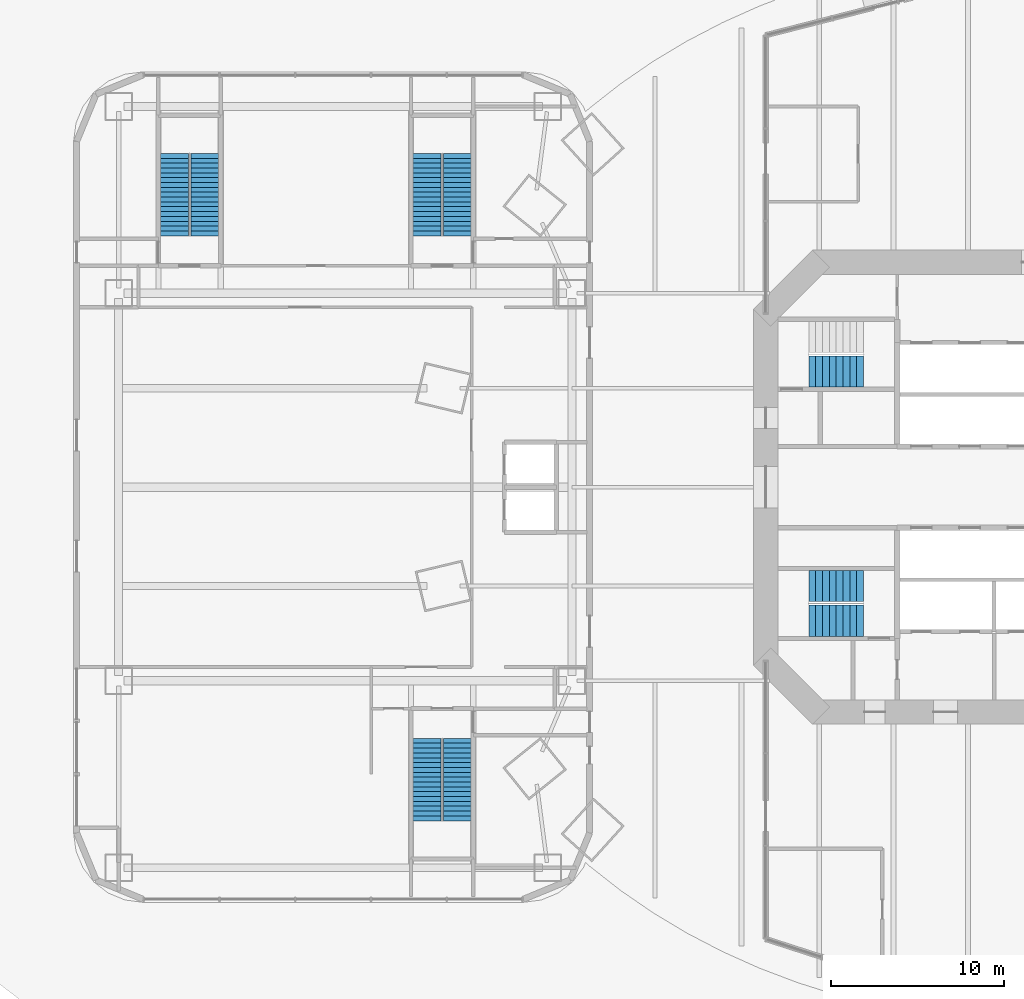
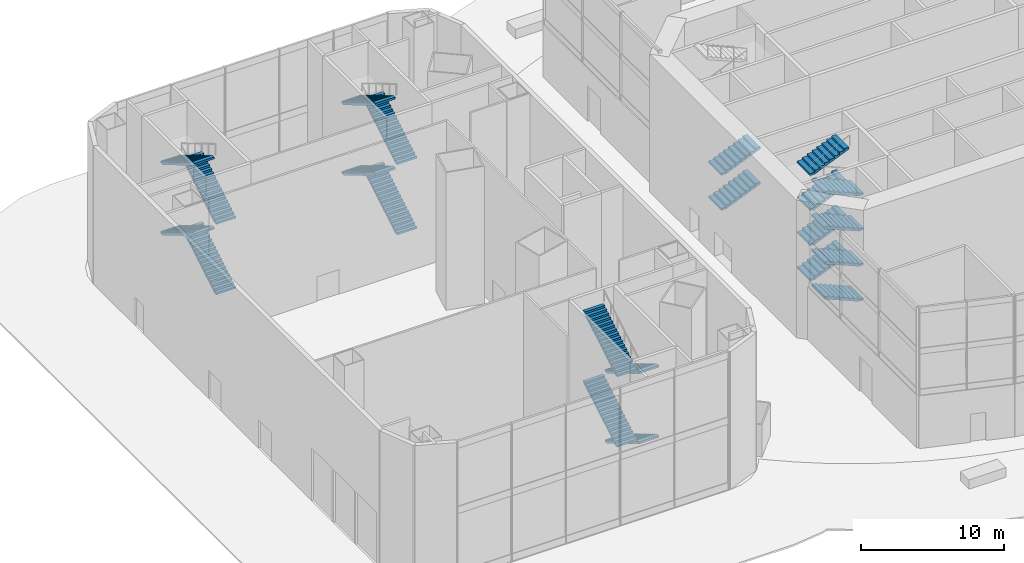
# One storey, part 18 of 23: 22 stair flights, 5 elements without a shape of their own.
"""IFC4 building model written with IfcOpenShell, lengths in metres."""

from ifc_helpers import new_model, si_unit, direction, frame, origin, place, context, subcontext, project, spatial, polyline, outline, extrude, material, type_object, element, aggregate, save


model = new_model("IFC4")

# Units and contexts
model_context = context("Model", 3, precision=1e-05, world=origin(), true_north=direction((0.0, 1.0)))
body_context = subcontext(model_context, "Body", "Model", "MODEL_VIEW")
ifc_project = project(units=[si_unit("LENGTHUNIT", "METRE"), si_unit("AREAUNIT", "SQUARE_METRE"), si_unit("VOLUMEUNIT", "CUBIC_METRE"), si_unit("PLANEANGLEUNIT", "RADIAN"), si_unit("MASSUNIT", "GRAM", prefix="KILO")], contexts=[model_context])

# Site, building, storey
site_placement = place(None, origin())
site = spatial("IfcSite", under=ifc_project, at=site_placement, CompositionType="ELEMENT")
building_placement = place(site_placement, origin())
building = spatial("IfcBuilding", under=site, at=building_placement, Name="Marenthal Gate Tower", CompositionType="ELEMENT")
storey_placement = place(building_placement, origin())
storey = spatial("IfcBuildingStorey", under=building, at=storey_placement, Name="L00", CompositionType="ELEMENT", Elevation=0.0)

# Stair, stair flights
ifc_material_1 = material(Name="Concrete 40 MPa", Category="concrete")
stair_type_1 = type_object("IfcStairType", Name="Exit stair 1600", PredefinedType="HALF_TURN_STAIR", material=ifc_material_1)
stair_1_placement = place(storey_placement, origin())
stair_1 = element("IfcStair", 1, at=stair_1_placement, inside=storey, type_object=stair_type_1, Name="Stair W1", PredefinedType="HALF_TURN_STAIR")
ifc_material_2 = material(Name="Concrete 40 MPa", Category="concrete")
stair_flight_type_1 = type_object("IfcStairFlightType", Name="Stair flight 1600", PredefinedType="STRAIGHT", material=ifc_material_2)
stair_flight_1_placement = place(storey_placement, frame((-33.824951171875, 14.52490234375, 0.0), z_axis=(0.0, 0.0, 1.0), x_axis=(0.0, 1.0, 0.0)))
stair_flight_1 = element("IfcStairFlight", 2, at=stair_flight_1_placement, type_object=stair_flight_type_1, Name="W1 flight 1", NumberOfRisers=18, NumberOfTreads=17, PredefinedType="STRAIGHT", RiserHeight=0.166666667, TreadLength=0.28, context=body_context, shape_type="SweptSolid", body=[
    extrude(outline(polyline([(0.0, 0.0), (0.0, 0.166748046875), (0.280029296875, 0.166748046875), (0.280029296875, 0.333251953125), (0.56005859375, 0.333251953125), (0.56005859375, 0.5), (0.840087890625, 0.5), (0.840087890625, 0.666748046875), (1.1201171875, 0.666748046875), (1.1201171875, 0.833251953125), (1.39990234375, 0.833251953125), (1.39990234375, 1.0), (1.679931640625, 1.0), (1.679931640625, 1.166748046875), (1.9599609375, 1.166748046875), (1.9599609375, 1.333251953125), (2.239990234375, 1.333251953125), (2.239990234375, 1.5), (2.52001953125, 1.5), (2.52001953125, 1.666748046875), (2.800048828125, 1.666748046875), (2.800048828125, 1.833251953125), (3.080078125, 1.833251953125), (3.080078125, 2.0), (3.360107421875, 2.0), (3.360107421875, 2.166748046875), (3.639892578125, 2.166748046875), (3.639892578125, 2.333251953125), (3.919921875, 2.333251953125), (3.919921875, 2.5), (4.199951171875, 2.5), (4.199951171875, 2.666748046875), (4.47998046875, 2.666748046875), (4.47998046875, 2.833251953125), (4.760009765625, 2.833251953125), (4.760009765625, 3.0), (4.760009765625, 2.658935546875), (0.29296875, 0.0), (0.0, 0.0)])), frame((0.0, 0.800048828125, 0.0), z_axis=(0.0, -1.0, 0.0), x_axis=(1.0, 0.0, 0.0)), (0.0, 0.0, 1.0), 1.60009765625),
])
stair_flight_2_placement = place(storey_placement, frame((-35.574951171875, 19.284912109375, 3.0), z_axis=(0.0, 0.0, 1.0), x_axis=(0.0, -1.0, 0.0)))
stair_flight_2 = element("IfcStairFlight", 3, at=stair_flight_2_placement, type_object=stair_flight_type_1, Name="W1 flight 2", NumberOfRisers=18, NumberOfTreads=17, PredefinedType="STRAIGHT", RiserHeight=0.166666667, TreadLength=0.28, context=body_context, shape_type="SweptSolid", body=[
    extrude(outline(polyline([(0.0, 0.0), (0.0, 0.166748046875), (0.280029296875, 0.166748046875), (0.280029296875, 0.333251953125), (0.56005859375, 0.333251953125), (0.56005859375, 0.5), (0.840087890625, 0.5), (0.840087890625, 0.666748046875), (1.1201171875, 0.666748046875), (1.1201171875, 0.833251953125), (1.39990234375, 0.833251953125), (1.39990234375, 1.0), (1.679931640625, 1.0), (1.679931640625, 1.166748046875), (1.9599609375, 1.166748046875), (1.9599609375, 1.333251953125), (2.239990234375, 1.333251953125), (2.239990234375, 1.5), (2.52001953125, 1.5), (2.52001953125, 1.666748046875), (2.800048828125, 1.666748046875), (2.800048828125, 1.833251953125), (3.080078125, 1.833251953125), (3.080078125, 2.0), (3.360107421875, 2.0), (3.360107421875, 2.166748046875), (3.639892578125, 2.166748046875), (3.639892578125, 2.333251953125), (3.919921875, 2.333251953125), (3.919921875, 2.5), (4.199951171875, 2.5), (4.199951171875, 2.666748046875), (4.47998046875, 2.666748046875), (4.47998046875, 2.833251953125), (4.760009765625, 2.833251953125), (4.760009765625, 3.0), (4.760009765625, 2.658935546875), (0.29296875, 0.0), (0.0, 0.0)])), frame((0.0, 0.800048828125, 0.0), z_axis=(0.0, -1.0, 0.0), x_axis=(1.0, 0.0, 0.0)), (0.0, 0.0, 1.0), 1.60009765625),
])
stair_flight_3_placement = place(storey_placement, frame((-33.824951171875, 14.52490234375, 6.0), z_axis=(0.0, 0.0, 1.0), x_axis=(0.0, 1.0, 0.0)))
stair_flight_3 = element("IfcStairFlight", 4, at=stair_flight_3_placement, type_object=stair_flight_type_1, Name="W1 flight 3", NumberOfRisers=18, NumberOfTreads=17, PredefinedType="STRAIGHT", RiserHeight=0.166666667, TreadLength=0.28, context=body_context, shape_type="SweptSolid", body=[
    extrude(outline(polyline([(0.0, 0.0), (0.0, 0.166748046875), (0.280029296875, 0.166748046875), (0.280029296875, 0.333251953125), (0.56005859375, 0.333251953125), (0.56005859375, 0.5), (0.840087890625, 0.5), (0.840087890625, 0.666748046875), (1.1201171875, 0.666748046875), (1.1201171875, 0.833251953125), (1.39990234375, 0.833251953125), (1.39990234375, 1.0), (1.679931640625, 1.0), (1.679931640625, 1.166748046875), (1.9599609375, 1.166748046875), (1.9599609375, 1.333251953125), (2.239990234375, 1.333251953125), (2.239990234375, 1.5), (2.52001953125, 1.5), (2.52001953125, 1.666748046875), (2.800048828125, 1.666748046875), (2.800048828125, 1.833251953125), (3.080078125, 1.833251953125), (3.080078125, 2.0), (3.360107421875, 2.0), (3.360107421875, 2.166748046875), (3.639892578125, 2.166748046875), (3.639892578125, 2.333251953125), (3.919921875, 2.333251953125), (3.919921875, 2.5), (4.199951171875, 2.5), (4.199951171875, 2.666748046875), (4.47998046875, 2.666748046875), (4.47998046875, 2.833251953125), (4.760009765625, 2.833251953125), (4.760009765625, 3.0), (4.760009765625, 2.658935546875), (0.29296875, 0.0), (0.0, 0.0)])), frame((0.0, 0.800048828125, 0.0), z_axis=(0.0, -1.0, 0.0), x_axis=(1.0, 0.0, 0.0)), (0.0, 0.0, 1.0), 1.60009765625),
])
stair_flight_4_placement = place(storey_placement, frame((-35.574951171875, 19.284912109375, 9.0), z_axis=(0.0, 0.0, 1.0), x_axis=(0.0, -1.0, 0.0)))
stair_flight_4 = element("IfcStairFlight", 5, at=stair_flight_4_placement, type_object=stair_flight_type_1, Name="W1 flight 4", NumberOfRisers=18, NumberOfTreads=17, PredefinedType="STRAIGHT", RiserHeight=0.166666667, TreadLength=0.28, context=body_context, shape_type="SweptSolid", body=[
    extrude(outline(polyline([(0.0, 0.0), (0.0, 0.166748046875), (0.280029296875, 0.166748046875), (0.280029296875, 0.333251953125), (0.56005859375, 0.333251953125), (0.56005859375, 0.5), (0.840087890625, 0.5), (0.840087890625, 0.666748046875), (1.1201171875, 0.666748046875), (1.1201171875, 0.833251953125), (1.39990234375, 0.833251953125), (1.39990234375, 1.0), (1.679931640625, 1.0), (1.679931640625, 1.166748046875), (1.9599609375, 1.166748046875), (1.9599609375, 1.333251953125), (2.239990234375, 1.333251953125), (2.239990234375, 1.5), (2.52001953125, 1.5), (2.52001953125, 1.666748046875), (2.800048828125, 1.666748046875), (2.800048828125, 1.833251953125), (3.080078125, 1.833251953125), (3.080078125, 2.0), (3.360107421875, 2.0), (3.360107421875, 2.166748046875), (3.639892578125, 2.166748046875), (3.639892578125, 2.333251953125), (3.919921875, 2.333251953125), (3.919921875, 2.5), (4.199951171875, 2.5), (4.199951171875, 2.666748046875), (4.47998046875, 2.666748046875), (4.47998046875, 2.833251953125), (4.760009765625, 2.833251953125), (4.760009765625, 3.0), (4.760009765625, 2.658935546875), (0.29296875, 0.0), (0.0, 0.0)])), frame((0.0, 0.800048828125, 0.0), z_axis=(0.0, -1.0, 0.0), x_axis=(1.0, 0.0, 0.0)), (0.0, 0.0, 1.0), 1.60009765625),
])
aggregate(stair_1, [stair_flight_1, stair_flight_2, stair_flight_3, stair_flight_4])

stair_2_placement = place(storey_placement, origin())
stair_2 = element("IfcStair", 6, at=stair_2_placement, inside=storey, type_object=stair_type_1, Name="Stair W2", PredefinedType="HALF_TURN_STAIR")
stair_flight_5_placement = place(storey_placement, frame((-33.824951171875, -14.52490234375, 0.0), z_axis=(0.0, 0.0, 1.0), x_axis=(0.0, -1.0, 0.0)))
stair_flight_5 = element("IfcStairFlight", 7, at=stair_flight_5_placement, type_object=stair_flight_type_1, Name="W2 flight 1", NumberOfRisers=18, NumberOfTreads=17, PredefinedType="STRAIGHT", RiserHeight=0.166666667, TreadLength=0.28, context=body_context, shape_type="SweptSolid", body=[
    extrude(outline(polyline([(0.0, 0.0), (0.0, 0.166748046875), (0.280029296875, 0.166748046875), (0.280029296875, 0.333251953125), (0.56005859375, 0.333251953125), (0.56005859375, 0.5), (0.840087890625, 0.5), (0.840087890625, 0.666748046875), (1.1201171875, 0.666748046875), (1.1201171875, 0.833251953125), (1.39990234375, 0.833251953125), (1.39990234375, 1.0), (1.679931640625, 1.0), (1.679931640625, 1.166748046875), (1.9599609375, 1.166748046875), (1.9599609375, 1.333251953125), (2.239990234375, 1.333251953125), (2.239990234375, 1.5), (2.52001953125, 1.5), (2.52001953125, 1.666748046875), (2.800048828125, 1.666748046875), (2.800048828125, 1.833251953125), (3.080078125, 1.833251953125), (3.080078125, 2.0), (3.360107421875, 2.0), (3.360107421875, 2.166748046875), (3.639892578125, 2.166748046875), (3.639892578125, 2.333251953125), (3.919921875, 2.333251953125), (3.919921875, 2.5), (4.199951171875, 2.5), (4.199951171875, 2.666748046875), (4.47998046875, 2.666748046875), (4.47998046875, 2.833251953125), (4.760009765625, 2.833251953125), (4.760009765625, 3.0), (4.760009765625, 2.658935546875), (0.29296875, 0.0), (0.0, 0.0)])), frame((0.0, 0.800048828125, 0.0), z_axis=(0.0, -1.0, 0.0), x_axis=(1.0, 0.0, 0.0)), (0.0, 0.0, 1.0), 1.60009765625),
])
stair_flight_6_placement = place(storey_placement, frame((-35.574951171875, -19.284912109375, 3.0), z_axis=(0.0, 0.0, 1.0), x_axis=(0.0, 1.0, 0.0)))
stair_flight_6 = element("IfcStairFlight", 8, at=stair_flight_6_placement, type_object=stair_flight_type_1, Name="W2 flight 2", NumberOfRisers=18, NumberOfTreads=17, PredefinedType="STRAIGHT", RiserHeight=0.166666667, TreadLength=0.28, context=body_context, shape_type="SweptSolid", body=[
    extrude(outline(polyline([(0.0, 0.0), (0.0, 0.166748046875), (0.280029296875, 0.166748046875), (0.280029296875, 0.333251953125), (0.56005859375, 0.333251953125), (0.56005859375, 0.5), (0.840087890625, 0.5), (0.840087890625, 0.666748046875), (1.1201171875, 0.666748046875), (1.1201171875, 0.833251953125), (1.39990234375, 0.833251953125), (1.39990234375, 1.0), (1.679931640625, 1.0), (1.679931640625, 1.166748046875), (1.9599609375, 1.166748046875), (1.9599609375, 1.333251953125), (2.239990234375, 1.333251953125), (2.239990234375, 1.5), (2.52001953125, 1.5), (2.52001953125, 1.666748046875), (2.800048828125, 1.666748046875), (2.800048828125, 1.833251953125), (3.080078125, 1.833251953125), (3.080078125, 2.0), (3.360107421875, 2.0), (3.360107421875, 2.166748046875), (3.639892578125, 2.166748046875), (3.639892578125, 2.333251953125), (3.919921875, 2.333251953125), (3.919921875, 2.5), (4.199951171875, 2.5), (4.199951171875, 2.666748046875), (4.47998046875, 2.666748046875), (4.47998046875, 2.833251953125), (4.760009765625, 2.833251953125), (4.760009765625, 3.0), (4.760009765625, 2.658935546875), (0.29296875, 0.0), (0.0, 0.0)])), frame((0.0, 0.800048828125, 0.0), z_axis=(0.0, -1.0, 0.0), x_axis=(1.0, 0.0, 0.0)), (0.0, 0.0, 1.0), 1.60009765625),
])
stair_flight_7_placement = place(storey_placement, frame((-33.824951171875, -14.52490234375, 6.0), z_axis=(0.0, 0.0, 1.0), x_axis=(0.0, -1.0, 0.0)))
stair_flight_7 = element("IfcStairFlight", 9, at=stair_flight_7_placement, type_object=stair_flight_type_1, Name="W2 flight 3", NumberOfRisers=18, NumberOfTreads=17, PredefinedType="STRAIGHT", RiserHeight=0.166666667, TreadLength=0.28, context=body_context, shape_type="SweptSolid", body=[
    extrude(outline(polyline([(0.0, 0.0), (0.0, 0.166748046875), (0.280029296875, 0.166748046875), (0.280029296875, 0.333251953125), (0.56005859375, 0.333251953125), (0.56005859375, 0.5), (0.840087890625, 0.5), (0.840087890625, 0.666748046875), (1.1201171875, 0.666748046875), (1.1201171875, 0.833251953125), (1.39990234375, 0.833251953125), (1.39990234375, 1.0), (1.679931640625, 1.0), (1.679931640625, 1.166748046875), (1.9599609375, 1.166748046875), (1.9599609375, 1.333251953125), (2.239990234375, 1.333251953125), (2.239990234375, 1.5), (2.52001953125, 1.5), (2.52001953125, 1.666748046875), (2.800048828125, 1.666748046875), (2.800048828125, 1.833251953125), (3.080078125, 1.833251953125), (3.080078125, 2.0), (3.360107421875, 2.0), (3.360107421875, 2.166748046875), (3.639892578125, 2.166748046875), (3.639892578125, 2.333251953125), (3.919921875, 2.333251953125), (3.919921875, 2.5), (4.199951171875, 2.5), (4.199951171875, 2.666748046875), (4.47998046875, 2.666748046875), (4.47998046875, 2.833251953125), (4.760009765625, 2.833251953125), (4.760009765625, 3.0), (4.760009765625, 2.658935546875), (0.29296875, 0.0), (0.0, 0.0)])), frame((0.0, 0.800048828125, 0.0), z_axis=(0.0, -1.0, 0.0), x_axis=(1.0, 0.0, 0.0)), (0.0, 0.0, 1.0), 1.60009765625),
])
stair_flight_8_placement = place(storey_placement, frame((-35.574951171875, -19.284912109375, 9.0), z_axis=(0.0, 0.0, 1.0), x_axis=(0.0, 1.0, 0.0)))
stair_flight_8 = element("IfcStairFlight", 10, at=stair_flight_8_placement, type_object=stair_flight_type_1, Name="W2 flight 4", NumberOfRisers=18, NumberOfTreads=17, PredefinedType="STRAIGHT", RiserHeight=0.166666667, TreadLength=0.28, context=body_context, shape_type="SweptSolid", body=[
    extrude(outline(polyline([(0.0, 0.0), (0.0, 0.166748046875), (0.280029296875, 0.166748046875), (0.280029296875, 0.333251953125), (0.56005859375, 0.333251953125), (0.56005859375, 0.5), (0.840087890625, 0.5), (0.840087890625, 0.666748046875), (1.1201171875, 0.666748046875), (1.1201171875, 0.833251953125), (1.39990234375, 0.833251953125), (1.39990234375, 1.0), (1.679931640625, 1.0), (1.679931640625, 1.166748046875), (1.9599609375, 1.166748046875), (1.9599609375, 1.333251953125), (2.239990234375, 1.333251953125), (2.239990234375, 1.5), (2.52001953125, 1.5), (2.52001953125, 1.666748046875), (2.800048828125, 1.666748046875), (2.800048828125, 1.833251953125), (3.080078125, 1.833251953125), (3.080078125, 2.0), (3.360107421875, 2.0), (3.360107421875, 2.166748046875), (3.639892578125, 2.166748046875), (3.639892578125, 2.333251953125), (3.919921875, 2.333251953125), (3.919921875, 2.5), (4.199951171875, 2.5), (4.199951171875, 2.666748046875), (4.47998046875, 2.666748046875), (4.47998046875, 2.833251953125), (4.760009765625, 2.833251953125), (4.760009765625, 3.0), (4.760009765625, 2.658935546875), (0.29296875, 0.0), (0.0, 0.0)])), frame((0.0, 0.800048828125, 0.0), z_axis=(0.0, -1.0, 0.0), x_axis=(1.0, 0.0, 0.0)), (0.0, 0.0, 1.0), 1.60009765625),
])
aggregate(stair_2, [stair_flight_5, stair_flight_6, stair_flight_7, stair_flight_8])

stair_3_placement = place(storey_placement, origin())
stair_3 = element("IfcStair", 11, at=stair_3_placement, inside=storey, type_object=stair_type_1, Name="Stair W3", PredefinedType="HALF_TURN_STAIR")
stair_flight_9_placement = place(storey_placement, frame((-48.425048828125, 14.52490234375, 0.0), z_axis=(0.0, 0.0, 1.0), x_axis=(0.0, 1.0, 0.0)))
stair_flight_9 = element("IfcStairFlight", 12, at=stair_flight_9_placement, type_object=stair_flight_type_1, Name="W3 flight 1", NumberOfRisers=18, NumberOfTreads=17, PredefinedType="STRAIGHT", RiserHeight=0.166666667, TreadLength=0.28, context=body_context, shape_type="SweptSolid", body=[
    extrude(outline(polyline([(0.0, 0.0), (0.0, 0.166748046875), (0.280029296875, 0.166748046875), (0.280029296875, 0.333251953125), (0.56005859375, 0.333251953125), (0.56005859375, 0.5), (0.840087890625, 0.5), (0.840087890625, 0.666748046875), (1.1201171875, 0.666748046875), (1.1201171875, 0.833251953125), (1.39990234375, 0.833251953125), (1.39990234375, 1.0), (1.679931640625, 1.0), (1.679931640625, 1.166748046875), (1.9599609375, 1.166748046875), (1.9599609375, 1.333251953125), (2.239990234375, 1.333251953125), (2.239990234375, 1.5), (2.52001953125, 1.5), (2.52001953125, 1.666748046875), (2.800048828125, 1.666748046875), (2.800048828125, 1.833251953125), (3.080078125, 1.833251953125), (3.080078125, 2.0), (3.360107421875, 2.0), (3.360107421875, 2.166748046875), (3.639892578125, 2.166748046875), (3.639892578125, 2.333251953125), (3.919921875, 2.333251953125), (3.919921875, 2.5), (4.199951171875, 2.5), (4.199951171875, 2.666748046875), (4.47998046875, 2.666748046875), (4.47998046875, 2.833251953125), (4.760009765625, 2.833251953125), (4.760009765625, 3.0), (4.760009765625, 2.658935546875), (0.29296875, 0.0), (0.0, 0.0)])), frame((0.0, 0.800048828125, 0.0), z_axis=(0.0, -1.0, 0.0), x_axis=(1.0, 0.0, 0.0)), (0.0, 0.0, 1.0), 1.60009765625),
])
stair_flight_10_placement = place(storey_placement, frame((-50.175048828125, 19.284912109375, 3.0), z_axis=(0.0, 0.0, 1.0), x_axis=(0.0, -1.0, 0.0)))
stair_flight_10 = element("IfcStairFlight", 13, at=stair_flight_10_placement, type_object=stair_flight_type_1, Name="W3 flight 2", NumberOfRisers=18, NumberOfTreads=17, PredefinedType="STRAIGHT", RiserHeight=0.166666667, TreadLength=0.28, context=body_context, shape_type="SweptSolid", body=[
    extrude(outline(polyline([(0.0, 0.0), (0.0, 0.166748046875), (0.280029296875, 0.166748046875), (0.280029296875, 0.333251953125), (0.56005859375, 0.333251953125), (0.56005859375, 0.5), (0.840087890625, 0.5), (0.840087890625, 0.666748046875), (1.1201171875, 0.666748046875), (1.1201171875, 0.833251953125), (1.39990234375, 0.833251953125), (1.39990234375, 1.0), (1.679931640625, 1.0), (1.679931640625, 1.166748046875), (1.9599609375, 1.166748046875), (1.9599609375, 1.333251953125), (2.239990234375, 1.333251953125), (2.239990234375, 1.5), (2.52001953125, 1.5), (2.52001953125, 1.666748046875), (2.800048828125, 1.666748046875), (2.800048828125, 1.833251953125), (3.080078125, 1.833251953125), (3.080078125, 2.0), (3.360107421875, 2.0), (3.360107421875, 2.166748046875), (3.639892578125, 2.166748046875), (3.639892578125, 2.333251953125), (3.919921875, 2.333251953125), (3.919921875, 2.5), (4.199951171875, 2.5), (4.199951171875, 2.666748046875), (4.47998046875, 2.666748046875), (4.47998046875, 2.833251953125), (4.760009765625, 2.833251953125), (4.760009765625, 3.0), (4.760009765625, 2.658935546875), (0.29296875, 0.0), (0.0, 0.0)])), frame((0.0, 0.800048828125, 0.0), z_axis=(0.0, -1.0, 0.0), x_axis=(1.0, 0.0, 0.0)), (0.0, 0.0, 1.0), 1.60009765625),
])
stair_flight_11_placement = place(storey_placement, frame((-48.425048828125, 14.52490234375, 6.0), z_axis=(0.0, 0.0, 1.0), x_axis=(0.0, 1.0, 0.0)))
stair_flight_11 = element("IfcStairFlight", 14, at=stair_flight_11_placement, type_object=stair_flight_type_1, Name="W3 flight 3", NumberOfRisers=18, NumberOfTreads=17, PredefinedType="STRAIGHT", RiserHeight=0.166666667, TreadLength=0.28, context=body_context, shape_type="SweptSolid", body=[
    extrude(outline(polyline([(0.0, 0.0), (0.0, 0.166748046875), (0.280029296875, 0.166748046875), (0.280029296875, 0.333251953125), (0.56005859375, 0.333251953125), (0.56005859375, 0.5), (0.840087890625, 0.5), (0.840087890625, 0.666748046875), (1.1201171875, 0.666748046875), (1.1201171875, 0.833251953125), (1.39990234375, 0.833251953125), (1.39990234375, 1.0), (1.679931640625, 1.0), (1.679931640625, 1.166748046875), (1.9599609375, 1.166748046875), (1.9599609375, 1.333251953125), (2.239990234375, 1.333251953125), (2.239990234375, 1.5), (2.52001953125, 1.5), (2.52001953125, 1.666748046875), (2.800048828125, 1.666748046875), (2.800048828125, 1.833251953125), (3.080078125, 1.833251953125), (3.080078125, 2.0), (3.360107421875, 2.0), (3.360107421875, 2.166748046875), (3.639892578125, 2.166748046875), (3.639892578125, 2.333251953125), (3.919921875, 2.333251953125), (3.919921875, 2.5), (4.199951171875, 2.5), (4.199951171875, 2.666748046875), (4.47998046875, 2.666748046875), (4.47998046875, 2.833251953125), (4.760009765625, 2.833251953125), (4.760009765625, 3.0), (4.760009765625, 2.658935546875), (0.29296875, 0.0), (0.0, 0.0)])), frame((0.0, 0.800048828125, 0.0), z_axis=(0.0, -1.0, 0.0), x_axis=(1.0, 0.0, 0.0)), (0.0, 0.0, 1.0), 1.60009765625),
])
stair_flight_12_placement = place(storey_placement, frame((-50.175048828125, 19.284912109375, 9.0), z_axis=(0.0, 0.0, 1.0), x_axis=(0.0, -1.0, 0.0)))
stair_flight_12 = element("IfcStairFlight", 15, at=stair_flight_12_placement, type_object=stair_flight_type_1, Name="W3 flight 4", NumberOfRisers=18, NumberOfTreads=17, PredefinedType="STRAIGHT", RiserHeight=0.166666667, TreadLength=0.28, context=body_context, shape_type="SweptSolid", body=[
    extrude(outline(polyline([(0.0, 0.0), (0.0, 0.166748046875), (0.280029296875, 0.166748046875), (0.280029296875, 0.333251953125), (0.56005859375, 0.333251953125), (0.56005859375, 0.5), (0.840087890625, 0.5), (0.840087890625, 0.666748046875), (1.1201171875, 0.666748046875), (1.1201171875, 0.833251953125), (1.39990234375, 0.833251953125), (1.39990234375, 1.0), (1.679931640625, 1.0), (1.679931640625, 1.166748046875), (1.9599609375, 1.166748046875), (1.9599609375, 1.333251953125), (2.239990234375, 1.333251953125), (2.239990234375, 1.5), (2.52001953125, 1.5), (2.52001953125, 1.666748046875), (2.800048828125, 1.666748046875), (2.800048828125, 1.833251953125), (3.080078125, 1.833251953125), (3.080078125, 2.0), (3.360107421875, 2.0), (3.360107421875, 2.166748046875), (3.639892578125, 2.166748046875), (3.639892578125, 2.333251953125), (3.919921875, 2.333251953125), (3.919921875, 2.5), (4.199951171875, 2.5), (4.199951171875, 2.666748046875), (4.47998046875, 2.666748046875), (4.47998046875, 2.833251953125), (4.760009765625, 2.833251953125), (4.760009765625, 3.0), (4.760009765625, 2.658935546875), (0.29296875, 0.0), (0.0, 0.0)])), frame((0.0, 0.800048828125, 0.0), z_axis=(0.0, -1.0, 0.0), x_axis=(1.0, 0.0, 0.0)), (0.0, 0.0, 1.0), 1.60009765625),
])
aggregate(stair_3, [stair_flight_9, stair_flight_10, stair_flight_11, stair_flight_12])

ifc_material_3 = material(Name="Concrete 40 MPa", Category="concrete")
stair_type_2 = type_object("IfcStairType", Name="Exit stair 1800", PredefinedType="HALF_TURN_STAIR", material=ifc_material_3)
stair_4_placement = place(storey_placement, origin())
stair_4 = element("IfcStair", 16, at=stair_4_placement, inside=storey, type_object=stair_type_2, Name="Stair ST1", PredefinedType="HALF_TURN_STAIR")
ifc_material_4 = material(Name="Concrete 40 MPa", Category="concrete")
stair_flight_type_2 = type_object("IfcStairFlightType", Name="Stair flight 1800", PredefinedType="STRAIGHT", material=ifc_material_4)
stair_flight_13_placement = place(storey_placement, frame((-13.5, 6.675048828125, 0.0), z_axis=(0.0, 0.0, 1.0), x_axis=(1.0, 0.0, 0.0)))
stair_flight_13 = element("IfcStairFlight", 17, at=stair_flight_13_placement, type_object=stair_flight_type_2, Name="ST1 flight 1", NumberOfRisers=9, NumberOfTreads=8, PredefinedType="STRAIGHT", RiserHeight=0.166666667, TreadLength=0.3937, context=body_context, shape_type="SweptSolid", body=[
    extrude(outline(polyline([(0.0, 0.0), (0.0, 0.166748046875), (0.393798828125, 0.166748046875), (0.393798828125, 0.333251953125), (0.787353515625, 0.333251953125), (0.787353515625, 0.5), (1.18115234375, 0.5), (1.18115234375, 0.666748046875), (1.57470703125, 0.666748046875), (1.57470703125, 0.833251953125), (1.968505859375, 0.833251953125), (1.968505859375, 1.0), (2.3623046875, 1.0), (2.3623046875, 1.166748046875), (2.755859375, 1.166748046875), (2.755859375, 1.333251953125), (3.149658203125, 1.333251953125), (3.149658203125, 1.5), (3.149658203125, 1.170654296875), (0.384521484375, 0.0), (0.0, 0.0)])), frame((0.0, 0.89990234375, 0.0), z_axis=(0.0, -1.0, 0.0), x_axis=(1.0, 0.0, 0.0)), (0.0, 0.0, 1.0), 1.800048828125),
])
stair_flight_14_placement = place(storey_placement, frame((-13.5, 6.675048828125, 3.0), z_axis=(0.0, 0.0, 1.0), x_axis=(1.0, 0.0, 0.0)))
stair_flight_14 = element("IfcStairFlight", 18, at=stair_flight_14_placement, type_object=stair_flight_type_2, Name="ST1 flight 3", NumberOfRisers=9, NumberOfTreads=8, PredefinedType="STRAIGHT", RiserHeight=0.166666667, TreadLength=0.3937, context=body_context, shape_type="SweptSolid", body=[
    extrude(outline(polyline([(0.0, 0.0), (0.0, 0.166748046875), (0.393798828125, 0.166748046875), (0.393798828125, 0.333251953125), (0.787353515625, 0.333251953125), (0.787353515625, 0.5), (1.18115234375, 0.5), (1.18115234375, 0.666748046875), (1.57470703125, 0.666748046875), (1.57470703125, 0.833251953125), (1.968505859375, 0.833251953125), (1.968505859375, 1.0), (2.3623046875, 1.0), (2.3623046875, 1.166748046875), (2.755859375, 1.166748046875), (2.755859375, 1.333251953125), (3.149658203125, 1.333251953125), (3.149658203125, 1.5), (3.149658203125, 1.170654296875), (0.384521484375, 0.0), (0.0, 0.0)])), frame((0.0, 0.89990234375, 0.0), z_axis=(0.0, -1.0, 0.0), x_axis=(1.0, 0.0, 0.0)), (0.0, 0.0, 1.0), 1.800048828125),
])
aggregate(stair_4, [stair_flight_13, stair_flight_14])

stair_5_placement = place(storey_placement, origin())
stair_5 = element("IfcStair", 19, at=stair_5_placement, inside=storey, type_object=stair_type_2, Name="Stair ST2", PredefinedType="HALF_TURN_STAIR")
stair_flight_15_placement = place(storey_placement, frame((-10.35009765625, -7.72509765625, 0.0), z_axis=(0.0, 0.0, 1.0), x_axis=(-1.0, 0.0, 0.0)))
stair_flight_15 = element("IfcStairFlight", 20, at=stair_flight_15_placement, type_object=stair_flight_type_2, Name="ST2 flight 1", NumberOfRisers=9, NumberOfTreads=8, PredefinedType="STRAIGHT", RiserHeight=0.166666667, TreadLength=0.3937, context=body_context, shape_type="SweptSolid", body=[
    extrude(outline(polyline([(0.0, 0.0), (0.0, 0.166748046875), (0.393798828125, 0.166748046875), (0.393798828125, 0.333251953125), (0.787353515625, 0.333251953125), (0.787353515625, 0.5), (1.18115234375, 0.5), (1.18115234375, 0.666748046875), (1.57470703125, 0.666748046875), (1.57470703125, 0.833251953125), (1.968505859375, 0.833251953125), (1.968505859375, 1.0), (2.3623046875, 1.0), (2.3623046875, 1.166748046875), (2.755859375, 1.166748046875), (2.755859375, 1.333251953125), (3.149658203125, 1.333251953125), (3.149658203125, 1.5), (3.149658203125, 1.170654296875), (0.384521484375, 0.0), (0.0, 0.0)])), frame((0.0, 0.89990234375, 0.0), z_axis=(0.0, -1.0, 0.0), x_axis=(1.0, 0.0, 0.0)), (0.0, 0.0, 1.0), 1.800048828125),
])
stair_flight_16_placement = place(storey_placement, frame((-13.49951171875, -5.72509765625, 1.5), z_axis=(0.0, 0.0, 1.0), x_axis=(1.0, 0.0, 0.0)))
stair_flight_16 = element("IfcStairFlight", 21, at=stair_flight_16_placement, type_object=stair_flight_type_2, Name="ST2 flight 2", NumberOfRisers=9, NumberOfTreads=8, PredefinedType="STRAIGHT", RiserHeight=0.166666667, TreadLength=0.3937, context=body_context, shape_type="SweptSolid", body=[
    extrude(outline(polyline([(0.0, 0.0), (0.0, 0.166748046875), (0.393798828125, 0.166748046875), (0.393798828125, 0.333251953125), (0.787353515625, 0.333251953125), (0.787353515625, 0.5), (1.18115234375, 0.5), (1.18115234375, 0.666748046875), (1.57470703125, 0.666748046875), (1.57470703125, 0.833251953125), (1.968505859375, 0.833251953125), (1.968505859375, 1.0), (2.3623046875, 1.0), (2.3623046875, 1.166748046875), (2.755859375, 1.166748046875), (2.755859375, 1.333251953125), (3.149658203125, 1.333251953125), (3.149658203125, 1.5), (3.149658203125, 1.170654296875), (0.384521484375, 0.0), (0.0, 0.0)])), frame((0.0, 0.89990234375, 0.0), z_axis=(0.0, -1.0, 0.0), x_axis=(1.0, 0.0, 0.0)), (0.0, 0.0, 1.0), 1.800048828125),
])
stair_flight_17_placement = place(storey_placement, frame((-10.35009765625, -7.72509765625, 3.0), z_axis=(0.0, 0.0, 1.0), x_axis=(-1.0, 0.0, 0.0)))
stair_flight_17 = element("IfcStairFlight", 22, at=stair_flight_17_placement, type_object=stair_flight_type_2, Name="ST2 flight 3", NumberOfRisers=9, NumberOfTreads=8, PredefinedType="STRAIGHT", RiserHeight=0.166666667, TreadLength=0.3937, context=body_context, shape_type="SweptSolid", body=[
    extrude(outline(polyline([(0.0, 0.0), (0.0, 0.166748046875), (0.393798828125, 0.166748046875), (0.393798828125, 0.333251953125), (0.787353515625, 0.333251953125), (0.787353515625, 0.5), (1.18115234375, 0.5), (1.18115234375, 0.666748046875), (1.57470703125, 0.666748046875), (1.57470703125, 0.833251953125), (1.968505859375, 0.833251953125), (1.968505859375, 1.0), (2.3623046875, 1.0), (2.3623046875, 1.166748046875), (2.755859375, 1.166748046875), (2.755859375, 1.333251953125), (3.149658203125, 1.333251953125), (3.149658203125, 1.5), (3.149658203125, 1.170654296875), (0.384521484375, 0.0), (0.0, 0.0)])), frame((0.0, 0.89990234375, 0.0), z_axis=(0.0, -1.0, 0.0), x_axis=(1.0, 0.0, 0.0)), (0.0, 0.0, 1.0), 1.800048828125),
])
stair_flight_18_placement = place(storey_placement, frame((-13.49951171875, -5.72509765625, 4.5), z_axis=(0.0, 0.0, 1.0), x_axis=(1.0, 0.0, 0.0)))
stair_flight_18 = element("IfcStairFlight", 23, at=stair_flight_18_placement, type_object=stair_flight_type_2, Name="ST2 flight 4", NumberOfRisers=9, NumberOfTreads=8, PredefinedType="STRAIGHT", RiserHeight=0.166666667, TreadLength=0.3937, context=body_context, shape_type="SweptSolid", body=[
    extrude(outline(polyline([(0.0, 0.0), (0.0, 0.166748046875), (0.393798828125, 0.166748046875), (0.393798828125, 0.333251953125), (0.787353515625, 0.333251953125), (0.787353515625, 0.5), (1.18115234375, 0.5), (1.18115234375, 0.666748046875), (1.57470703125, 0.666748046875), (1.57470703125, 0.833251953125), (1.968505859375, 0.833251953125), (1.968505859375, 1.0), (2.3623046875, 1.0), (2.3623046875, 1.166748046875), (2.755859375, 1.166748046875), (2.755859375, 1.333251953125), (3.149658203125, 1.333251953125), (3.149658203125, 1.5), (3.149658203125, 1.170654296875), (0.384521484375, 0.0), (0.0, 0.0)])), frame((0.0, 0.89990234375, 0.0), z_axis=(0.0, -1.0, 0.0), x_axis=(1.0, 0.0, 0.0)), (0.0, 0.0, 1.0), 1.800048828125),
])
stair_flight_19_placement = place(storey_placement, frame((-10.35009765625, -7.72509765625, 6.0), z_axis=(0.0, 0.0, 1.0), x_axis=(-1.0, 0.0, 0.0)))
stair_flight_19 = element("IfcStairFlight", 24, at=stair_flight_19_placement, type_object=stair_flight_type_2, Name="ST2 flight 5", NumberOfRisers=9, NumberOfTreads=8, PredefinedType="STRAIGHT", RiserHeight=0.166666667, TreadLength=0.3937, context=body_context, shape_type="SweptSolid", body=[
    extrude(outline(polyline([(0.0, 0.0), (0.0, 0.166748046875), (0.393798828125, 0.166748046875), (0.393798828125, 0.333251953125), (0.787353515625, 0.333251953125), (0.787353515625, 0.5), (1.18115234375, 0.5), (1.18115234375, 0.666748046875), (1.57470703125, 0.666748046875), (1.57470703125, 0.833251953125), (1.968505859375, 0.833251953125), (1.968505859375, 1.0), (2.3623046875, 1.0), (2.3623046875, 1.166748046875), (2.755859375, 1.166748046875), (2.755859375, 1.333251953125), (3.149658203125, 1.333251953125), (3.149658203125, 1.5), (3.149658203125, 1.170654296875), (0.384521484375, 0.0), (0.0, 0.0)])), frame((0.0, 0.89990234375, 0.0), z_axis=(0.0, -1.0, 0.0), x_axis=(1.0, 0.0, 0.0)), (0.0, 0.0, 1.0), 1.800048828125),
])
stair_flight_20_placement = place(storey_placement, frame((-13.49951171875, -5.72509765625, 7.5), z_axis=(0.0, 0.0, 1.0), x_axis=(1.0, 0.0, 0.0)))
stair_flight_20 = element("IfcStairFlight", 25, at=stair_flight_20_placement, type_object=stair_flight_type_2, Name="ST2 flight 6", NumberOfRisers=9, NumberOfTreads=8, PredefinedType="STRAIGHT", RiserHeight=0.166666667, TreadLength=0.3937, context=body_context, shape_type="SweptSolid", body=[
    extrude(outline(polyline([(0.0, 0.0), (0.0, 0.166748046875), (0.393798828125, 0.166748046875), (0.393798828125, 0.333251953125), (0.787353515625, 0.333251953125), (0.787353515625, 0.5), (1.18115234375, 0.5), (1.18115234375, 0.666748046875), (1.57470703125, 0.666748046875), (1.57470703125, 0.833251953125), (1.968505859375, 0.833251953125), (1.968505859375, 1.0), (2.3623046875, 1.0), (2.3623046875, 1.166748046875), (2.755859375, 1.166748046875), (2.755859375, 1.333251953125), (3.149658203125, 1.333251953125), (3.149658203125, 1.5), (3.149658203125, 1.170654296875), (0.384521484375, 0.0), (0.0, 0.0)])), frame((0.0, 0.89990234375, 0.0), z_axis=(0.0, -1.0, 0.0), x_axis=(1.0, 0.0, 0.0)), (0.0, 0.0, 1.0), 1.800048828125),
])
stair_flight_21_placement = place(storey_placement, frame((-10.35009765625, -7.72509765625, 9.0), z_axis=(0.0, 0.0, 1.0), x_axis=(-1.0, 0.0, 0.0)))
stair_flight_21 = element("IfcStairFlight", 26, at=stair_flight_21_placement, type_object=stair_flight_type_2, Name="ST2 flight 7", NumberOfRisers=9, NumberOfTreads=8, PredefinedType="STRAIGHT", RiserHeight=0.166666667, TreadLength=0.3937, context=body_context, shape_type="SweptSolid", body=[
    extrude(outline(polyline([(0.0, 0.0), (0.0, 0.166748046875), (0.393798828125, 0.166748046875), (0.393798828125, 0.333251953125), (0.787353515625, 0.333251953125), (0.787353515625, 0.5), (1.18115234375, 0.5), (1.18115234375, 0.666748046875), (1.57470703125, 0.666748046875), (1.57470703125, 0.833251953125), (1.968505859375, 0.833251953125), (1.968505859375, 1.0), (2.3623046875, 1.0), (2.3623046875, 1.166748046875), (2.755859375, 1.166748046875), (2.755859375, 1.333251953125), (3.149658203125, 1.333251953125), (3.149658203125, 1.5), (3.149658203125, 1.170654296875), (0.384521484375, 0.0), (0.0, 0.0)])), frame((0.0, 0.89990234375, 0.0), z_axis=(0.0, -1.0, 0.0), x_axis=(1.0, 0.0, 0.0)), (0.0, 0.0, 1.0), 1.800048828125),
])
stair_flight_22_placement = place(storey_placement, frame((-13.49951171875, -5.72509765625, 10.5), z_axis=(0.0, 0.0, 1.0), x_axis=(1.0, 0.0, 0.0)))
stair_flight_22 = element("IfcStairFlight", 27, at=stair_flight_22_placement, type_object=stair_flight_type_2, Name="ST2 flight 8", NumberOfRisers=9, NumberOfTreads=8, PredefinedType="STRAIGHT", RiserHeight=0.166666667, TreadLength=0.3937, context=body_context, shape_type="SweptSolid", body=[
    extrude(outline(polyline([(0.0, 0.0), (0.0, 0.166748046875), (0.393798828125, 0.166748046875), (0.393798828125, 0.333251953125), (0.787353515625, 0.333251953125), (0.787353515625, 0.5), (1.18115234375, 0.5), (1.18115234375, 0.666748046875), (1.57470703125, 0.666748046875), (1.57470703125, 0.833251953125), (1.968505859375, 0.833251953125), (1.968505859375, 1.0), (2.3623046875, 1.0), (2.3623046875, 1.166748046875), (2.755859375, 1.166748046875), (2.755859375, 1.333251953125), (3.149658203125, 1.333251953125), (3.149658203125, 1.5), (3.149658203125, 1.170654296875), (0.384521484375, 0.0), (0.0, 0.0)])), frame((0.0, 0.89990234375, 0.0), z_axis=(0.0, -1.0, 0.0), x_axis=(1.0, 0.0, 0.0)), (0.0, 0.0, 1.0), 1.800048828125),
])
aggregate(stair_5, [stair_flight_15, stair_flight_16, stair_flight_17, stair_flight_18, stair_flight_19, stair_flight_20, stair_flight_21, stair_flight_22])

save(model, "model.ifc")
